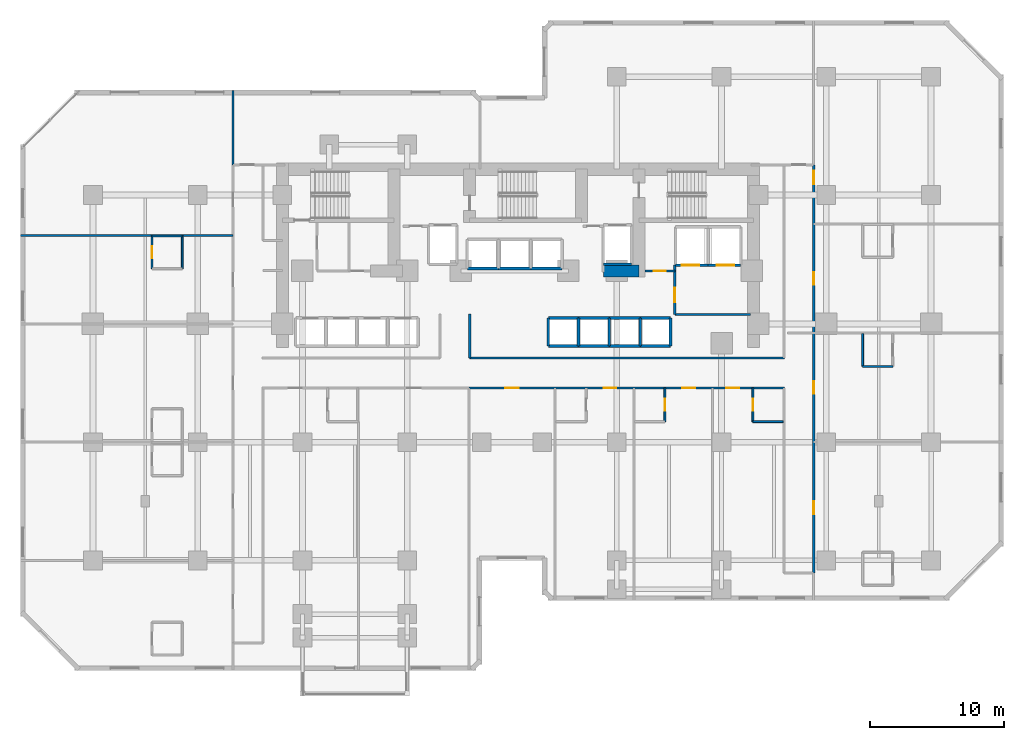
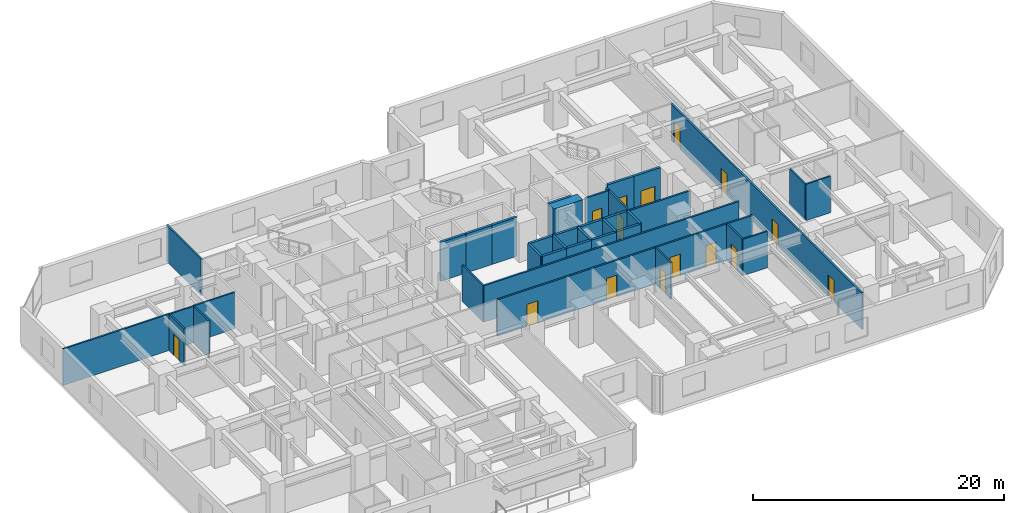
# One storey, part 7 of 12: 38 walls, 15 doors, 15 openings.
"""IFC4 building model written with IfcOpenShell, lengths in metres."""

from ifc_helpers import new_model, si_unit, direction, frame, frame_2d, origin, place, context, subcontext, project, spatial, rectangle, extrude, material, layer, layer_set, type_object, element, fill, save


model = new_model("IFC4")

# Units and contexts
model_context = context("Model", 3, precision=1e-05, world=origin(), true_north=direction((0.0, 1.0)))
body_context = subcontext(model_context, "Body", "Model", "MODEL_VIEW")
ifc_project = project(units=[si_unit("LENGTHUNIT", "METRE"), si_unit("AREAUNIT", "SQUARE_METRE"), si_unit("VOLUMEUNIT", "CUBIC_METRE"), si_unit("PLANEANGLEUNIT", "RADIAN"), si_unit("MASSUNIT", "GRAM", prefix="KILO")], contexts=[model_context])

# Site, building, storey
site_placement = place(None, origin())
site = spatial("IfcSite", under=ifc_project, at=site_placement, CompositionType="ELEMENT")
building_placement = place(site_placement, origin())
building = spatial("IfcBuilding", under=site, at=building_placement, Name="Kestravale Grand Hotel", CompositionType="ELEMENT")
storey_placement = place(building_placement, frame((0.0, 0.0, 67.800048828125)))
storey = spatial("IfcBuildingStorey", under=building, at=storey_placement, Name="L16", CompositionType="ELEMENT", Elevation=67.800048828125)

# Wall
ifc_material_1 = material(Name="Concrete f'c 70 MPa", Category="concrete")
ifc_layer_1 = layer(ifc_material_1, 0.89990234375)
ifc_layer_set_1 = layer_set([ifc_layer_1], Name="EW-CORE-900")
wall_type_1 = type_object("IfcWallType", Name="EW-CORE-900", PredefinedType="SHEAR", material=ifc_layer_set_1)
wall_1_placement = place(storey_placement, frame((45.81005859375, 32.75, 0.0), z_axis=(0.0, 0.0, 1.0), x_axis=(1.0, 0.0, 0.0)))
element("IfcWall", 1, at=wall_1_placement, inside=storey, type_object=wall_type_1, Name="L16 core shear wall S2", PredefinedType="SHEAR", context=body_context, shape_type="SweptSolid", body=[
    extrude(rectangle(XDim=2.639892578125, YDim=0.89990234375, at=frame_2d((1.31982421875, 0.0))), origin(), (0.0, 0.0, 1.0), 3.800048828125),
])

# Wall, opening, door
ifc_material_2 = material(Name="Acoustic fire-rated gypsum board partition", Category="other")
ifc_layer_2 = layer(ifc_material_2, 0.159912109375)
ifc_layer_set_2 = layer_set([ifc_layer_2], Name="IW-CORR-160")
wall_type_2 = type_object("IfcWallType", Name="IW-CORR-160", PredefinedType="PARTITIONING", material=ifc_layer_set_2)
wall_2_placement = place(storey_placement, frame((51.1201171875, 29.5, 0.0), z_axis=(0.0, 0.0, 1.0), x_axis=(0.0, 1.0, 0.0)))
wall_2 = element("IfcWall", 2, at=wall_2_placement, inside=storey, type_object=wall_type_2, Name="W-L16-SVCLOB-W", PredefinedType="PARTITIONING", context=body_context, shape_type="SweptSolid", body=[
    extrude(rectangle(XDim=3.699951171875, YDim=0.159912109375, at=frame_2d((1.85009765625, 0.0))), origin(), (0.0, 0.0, 1.0), 3.5400390625),
])
opening_1_placement = place(wall_2_placement, frame((0.89990234375, 0.0, 0.0)))
opening_1 = element("IfcOpeningElement", 3, at=opening_1_placement, cuts=wall_2, Name="Opening D-CORR-1100", PredefinedType="OPENING", context=body_context, shape_type="SweptSolid", body=[
    extrude(rectangle(XDim=1.10009765625, YDim=2.14990234375, at=frame_2d((0.550048828125, 1.074951171875))), frame((0.0, 0.08984375, 0.0), z_axis=(0.0, -1.0, 0.0), x_axis=(1.0, 0.0, 0.0)), (0.0, 0.0, 1.0), 0.179931640625),
])
ifc_material_3 = material(Name="Single-leaf service vestibule fire door", Category="steel")
door_type_1 = type_object("IfcDoorType", Name="D-CORR-1100", OperationType="NOTDEFINED", PredefinedType="DOOR", material=ifc_material_3)
door_1_placement = place(opening_1_placement, origin())
door_1 = element("IfcDoor", 4, at=door_1_placement, inside=storey, type_object=door_type_1, Name="L16 service lift lobby door", OperationType="SINGLE_SWING_LEFT", OverallHeight=2.14990234375, OverallWidth=1.10009765625, PredefinedType="DOOR", context=body_context, shape_type="SweptSolid", body=[
    extrude(rectangle(XDim=1.10009765625, YDim=2.14990234375, at=frame_2d((0.550048828125, 1.074951171875))), frame((0.0, 0.02490234375, 0.0), z_axis=(0.0, -1.0, 0.0), x_axis=(1.0, 0.0, 0.0)), (0.0, 0.0, 1.0), 0.050048828125),
])
fill(opening_1, door_1)

# Wall
wall_3_placement = place(storey_placement, frame((51.1201171875, 29.5, 0.0), z_axis=(0.0, 0.0, 1.0), x_axis=(1.0, 0.0, 0.0)))
element("IfcWall", 5, at=wall_3_placement, inside=storey, type_object=wall_type_2, Name="L16 service lift lobby wall", PredefinedType="PARTITIONING", context=body_context, shape_type="SweptSolid", body=[
    extrude(rectangle(XDim=5.6298828125, YDim=0.159912109375, at=frame_2d((2.81494140625, 0.0))), origin(), (0.0, 0.0, 1.0), 3.5400390625),
])

# Wall, opening, door
wall_4_placement = place(storey_placement, frame((48.919921875, 32.75, 0.0), z_axis=(0.0, 0.0, 1.0), x_axis=(1.0, 0.0, 0.0)))
wall_4 = element("IfcWall", 6, at=wall_4_placement, inside=storey, type_object=wall_type_2, Name="W-L16-CES", PredefinedType="PARTITIONING", context=body_context, shape_type="SweptSolid", body=[
    extrude(rectangle(XDim=2.2001953125, YDim=0.159912109375, at=frame_2d((1.10009765625, 0.0))), origin(), (0.0, 0.0, 1.0), 3.5400390625),
])
opening_2_placement = place(wall_4_placement, frame((0.64990234375, 0.0, 0.0)))
opening_2 = element("IfcOpeningElement", 7, at=opening_2_placement, cuts=wall_4, Name="Opening D-SH-860", PredefinedType="OPENING", context=body_context, shape_type="SweptSolid", body=[
    extrude(rectangle(XDim=0.860107421875, YDim=2.050048828125, at=frame_2d((0.43017578125, 1.02490234375))), frame((0.0, 0.08984375, 0.0), z_axis=(0.0, -1.0, 0.0), x_axis=(1.0, 0.0, 0.0)), (0.0, 0.0, 1.0), 0.179931640625),
])
ifc_material_4 = material(Name="Galvanised 90-minute riser fire door", Category="steel")
door_type_2 = type_object("IfcDoorType", Name="D-SH-860", OperationType="NOTDEFINED", PredefinedType="DOOR", material=ifc_material_4)
door_2_placement = place(opening_2_placement, origin())
door_2 = element("IfcDoor", 8, at=door_2_placement, inside=storey, type_object=door_type_2, Name="L16 CSTO1 door", OperationType="SINGLE_SWING_RIGHT", OverallHeight=2.050048828125, OverallWidth=0.860107421875, PredefinedType="DOOR", context=body_context, shape_type="SweptSolid", body=[
    extrude(rectangle(XDim=0.860107421875, YDim=2.050048828125, at=frame_2d((0.43017578125, 1.02490234375))), frame((0.0, 0.02490234375, 0.0), z_axis=(0.0, -1.0, 0.0), x_axis=(1.0, 0.0, 0.0)), (0.0, 0.0, 1.0), 0.050048828125),
])
fill(opening_2, door_2)

# Walls
wall_5_placement = place(storey_placement, frame((35.85009765625, 26.260009765625, 0.0), z_axis=(0.0, 0.0, 1.0), x_axis=(1.0, 0.0, 0.0)))
element("IfcWall", 9, at=wall_5_placement, inside=storey, type_object=wall_type_2, Name="W-L16-CE-N", PredefinedType="PARTITIONING", context=body_context, shape_type="SweptSolid", body=[
    extrude(rectangle(XDim=23.449951171875, YDim=0.159912109375, at=frame_2d((11.72509765625, 0.0))), origin(), (0.0, 0.0, 1.0), 3.5400390625),
])
wall_6_placement = place(storey_placement, frame((35.85009765625, 26.260009765625, 0.0), z_axis=(0.0, 0.0, 1.0), x_axis=(0.0, 1.0, 0.0)))
element("IfcWall", 10, at=wall_6_placement, inside=storey, type_object=wall_type_2, Name="W-L16-TRUNK-E", PredefinedType="PARTITIONING", context=body_context, shape_type="SweptSolid", body=[
    extrude(rectangle(XDim=3.2900390625, YDim=0.159912109375, at=frame_2d((1.64501953125, 0.0))), origin(), (0.0, 0.0, 1.0), 3.5400390625),
])

# Wall, openings, doors
wall_7_placement = place(storey_placement, frame((35.800048828125, 24.0400390625, 0.0), z_axis=(0.0, 0.0, 1.0), x_axis=(1.0, 0.0, 0.0)))
wall_7 = element("IfcWall", 11, at=wall_7_placement, inside=storey, type_object=wall_type_2, Name="W-L16-CE-S", PredefinedType="PARTITIONING", context=body_context, shape_type="SweptSolid", body=[
    extrude(rectangle(XDim=23.5, YDim=0.159912109375, at=frame_2d((11.75, 0.0))), origin(), (0.0, 0.0, 1.0), 3.5400390625),
])
opening_3_placement = place(wall_7_placement, frame((2.705078125, 0.0, 0.0)))
opening_3 = element("IfcOpeningElement", 12, at=opening_3_placement, cuts=wall_7, Name="Opening D-GUEST-1000", PredefinedType="OPENING", context=body_context, shape_type="SweptSolid", body=[
    extrude(rectangle(XDim=1.0, YDim=2.14990234375, at=frame_2d((0.5, 1.074951171875))), frame((0.0, 0.08984375, 0.0), z_axis=(0.0, -1.0, 0.0), x_axis=(1.0, 0.0, 0.0)), (0.0, 0.0, 1.0), 0.179931640625),
])
opening_4_placement = place(wall_7_placement, frame((10.02001953125, 0.0, 0.0)))
opening_4 = element("IfcOpeningElement", 13, at=opening_4_placement, cuts=wall_7, Name="Opening D-GUEST-950", PredefinedType="OPENING", context=body_context, shape_type="SweptSolid", body=[
    extrude(rectangle(XDim=0.949951171875, YDim=2.10009765625, at=frame_2d((0.47509765625, 1.050048828125))), frame((0.0, 0.08984375, 0.0), z_axis=(0.0, -1.0, 0.0), x_axis=(1.0, 0.0, 0.0)), (0.0, 0.0, 1.0), 0.179931640625),
])
opening_5_placement = place(wall_7_placement, frame((15.8798828125, 0.0, 0.0)))
opening_5 = element("IfcOpeningElement", 14, at=opening_5_placement, cuts=wall_7, Name="Opening D-GUEST-950", PredefinedType="OPENING", context=body_context, shape_type="SweptSolid", body=[
    extrude(rectangle(XDim=0.949951171875, YDim=2.10009765625, at=frame_2d((0.47509765625, 1.050048828125))), frame((0.0, 0.08984375, 0.0), z_axis=(0.0, -1.0, 0.0), x_axis=(1.0, 0.0, 0.0)), (0.0, 0.0, 1.0), 0.179931640625),
])
opening_6_placement = place(wall_7_placement, frame((19.155029296875, 0.0, 0.0)))
opening_6 = element("IfcOpeningElement", 15, at=opening_6_placement, cuts=wall_7, Name="Opening D-GUEST-950", PredefinedType="OPENING", context=body_context, shape_type="SweptSolid", body=[
    extrude(rectangle(XDim=0.949951171875, YDim=2.10009765625, at=frame_2d((0.47509765625, 1.050048828125))), frame((0.0, 0.08984375, 0.0), z_axis=(0.0, -1.0, 0.0), x_axis=(1.0, 0.0, 0.0)), (0.0, 0.0, 1.0), 0.179931640625),
])
ifc_material_5 = material(Name="Accessible walnut veneer hotel entrance fire door", Category="wood")
door_type_3 = type_object("IfcDoorType", Name="D-GUEST-1000", OperationType="NOTDEFINED", PredefinedType="DOOR", material=ifc_material_5)
door_3_placement = place(opening_3_placement, origin())
door_3 = element("IfcDoor", 16, at=door_3_placement, inside=storey, type_object=door_type_3, Name="D-L16-AME", OperationType="SINGLE_SWING_RIGHT", OverallHeight=2.14990234375, OverallWidth=1.0, PredefinedType="DOOR", context=body_context, shape_type="SweptSolid", body=[
    extrude(rectangle(XDim=1.0, YDim=2.14990234375, at=frame_2d((0.5, 1.074951171875))), frame((0.0, 0.02490234375, 0.0), z_axis=(0.0, -1.0, 0.0), x_axis=(1.0, 0.0, 0.0)), (0.0, 0.0, 1.0), 0.050048828125),
])
fill(opening_3, door_3)
ifc_material_6 = material(Name="Walnut veneer hotel guestroom entrance fire door", Category="wood")
door_type_4 = type_object("IfcDoorType", Name="D-GUEST-950", OperationType="NOTDEFINED", PredefinedType="DOOR", material=ifc_material_6)
door_4_placement = place(opening_4_placement, origin())
door_4 = element("IfcDoor", 17, at=door_4_placement, inside=storey, type_object=door_type_4, Name="D-L16-U02-ENT", OperationType="SINGLE_SWING_RIGHT", OverallHeight=2.10009765625, OverallWidth=0.949951171875, PredefinedType="DOOR", context=body_context, shape_type="SweptSolid", body=[
    extrude(rectangle(XDim=0.949951171875, YDim=2.10009765625, at=frame_2d((0.47509765625, 1.050048828125))), frame((0.0, 0.02490234375, 0.0), z_axis=(0.0, -1.0, 0.0), x_axis=(1.0, 0.0, 0.0)), (0.0, 0.0, 1.0), 0.050048828125),
])
fill(opening_4, door_4)
door_5_placement = place(opening_5_placement, origin())
door_5 = element("IfcDoor", 18, at=door_5_placement, inside=storey, type_object=door_type_4, Name="D-L16-U03-ENT", OperationType="SINGLE_SWING_RIGHT", OverallHeight=2.10009765625, OverallWidth=0.949951171875, PredefinedType="DOOR", context=body_context, shape_type="SweptSolid", body=[
    extrude(rectangle(XDim=0.949951171875, YDim=2.10009765625, at=frame_2d((0.47509765625, 1.050048828125))), frame((0.0, 0.02490234375, 0.0), z_axis=(0.0, -1.0, 0.0), x_axis=(1.0, 0.0, 0.0)), (0.0, 0.0, 1.0), 0.050048828125),
])
fill(opening_5, door_5)
door_6_placement = place(opening_6_placement, origin())
door_6 = element("IfcDoor", 19, at=door_6_placement, inside=storey, type_object=door_type_4, Name="D-L16-U04-ENT", OperationType="SINGLE_SWING_RIGHT", OverallHeight=2.10009765625, OverallWidth=0.949951171875, PredefinedType="DOOR", context=body_context, shape_type="SweptSolid", body=[
    extrude(rectangle(XDim=0.949951171875, YDim=2.10009765625, at=frame_2d((0.47509765625, 1.050048828125))), frame((0.0, 0.02490234375, 0.0), z_axis=(0.0, -1.0, 0.0), x_axis=(1.0, 0.0, 0.0)), (0.0, 0.0, 1.0), 0.050048828125),
])
fill(opening_6, door_6)

wall_8_placement = place(storey_placement, frame((61.4599609375, 10.25, 0.0), z_axis=(0.0, 0.0, 1.0), x_axis=(0.0, 1.0, 0.0)))
wall_8 = element("IfcWall", 20, at=wall_8_placement, inside=storey, type_object=wall_type_2, Name="W-L16-SE-E", PredefinedType="PARTITIONING", context=body_context, shape_type="SweptSolid", body=[
    extrude(rectangle(XDim=30.39990234375, YDim=0.159912109375, at=frame_2d((15.199951171875, 0.0))), origin(), (0.0, 0.0, 1.0), 3.5400390625),
])
opening_7_placement = place(wall_8_placement, frame((4.39990234375, 0.0, 0.0)))
opening_7 = element("IfcOpeningElement", 21, at=opening_7_placement, cuts=wall_8, Name="Opening D-GUEST-950", PredefinedType="OPENING", context=body_context, shape_type="SweptSolid", body=[
    extrude(rectangle(XDim=0.949951171875, YDim=2.10009765625, at=frame_2d((0.47509765625, 1.050048828125))), frame((0.0, 0.08984375, 0.0), z_axis=(0.0, -1.0, 0.0), x_axis=(1.0, 0.0, 0.0)), (0.0, 0.0, 1.0), 0.179931640625),
])
opening_8_placement = place(wall_8_placement, frame((13.33740234375, 0.0, 0.0)))
opening_8 = element("IfcOpeningElement", 22, at=opening_8_placement, cuts=wall_8, Name="Opening D-GUEST-950", PredefinedType="OPENING", context=body_context, shape_type="SweptSolid", body=[
    extrude(rectangle(XDim=0.949951171875, YDim=2.10009765625, at=frame_2d((0.47509765625, 1.050048828125))), frame((0.0, 0.08984375, 0.0), z_axis=(0.0, -1.0, 0.0), x_axis=(1.0, 0.0, 0.0)), (0.0, 0.0, 1.0), 0.179931640625),
])
opening_9_placement = place(wall_8_placement, frame((21.46240234375, 0.0, 0.0)))
opening_9 = element("IfcOpeningElement", 23, at=opening_9_placement, cuts=wall_8, Name="Opening D-GUEST-950", PredefinedType="OPENING", context=body_context, shape_type="SweptSolid", body=[
    extrude(rectangle(XDim=0.949951171875, YDim=2.10009765625, at=frame_2d((0.47509765625, 1.050048828125))), frame((0.0, 0.08984375, 0.0), z_axis=(0.0, -1.0, 0.0), x_axis=(1.0, 0.0, 0.0)), (0.0, 0.0, 1.0), 0.179931640625),
])
opening_10_placement = place(wall_8_placement, frame((28.9599609375, 0.0, 0.0)))
opening_10 = element("IfcOpeningElement", 24, at=opening_10_placement, cuts=wall_8, Name="Opening D-GUEST-1000", PredefinedType="OPENING", context=body_context, shape_type="SweptSolid", body=[
    extrude(rectangle(XDim=1.0, YDim=2.14990234375, at=frame_2d((0.5, 1.074951171875))), frame((0.0, 0.08984375, 0.0), z_axis=(0.0, -1.0, 0.0), x_axis=(1.0, 0.0, 0.0)), (0.0, 0.0, 1.0), 0.179931640625),
])
door_7_placement = place(opening_10_placement, origin())
door_7 = element("IfcDoor", 25, at=door_7_placement, inside=storey, type_object=door_type_3, Name="D-L16-AMEW", OperationType="SINGLE_SWING_RIGHT", OverallHeight=2.14990234375, OverallWidth=1.0, PredefinedType="DOOR", context=body_context, shape_type="SweptSolid", body=[
    extrude(rectangle(XDim=1.0, YDim=2.14990234375, at=frame_2d((0.5, 1.074951171875))), frame((0.0, 0.02490234375, 0.0), z_axis=(0.0, -1.0, 0.0), x_axis=(1.0, 0.0, 0.0)), (0.0, 0.0, 1.0), 0.050048828125),
])
fill(opening_10, door_7)
door_8_placement = place(opening_7_placement, origin())
door_8 = element("IfcDoor", 26, at=door_8_placement, inside=storey, type_object=door_type_4, Name="D-L16-U09-ENT", OperationType="SINGLE_SWING_LEFT", OverallHeight=2.10009765625, OverallWidth=0.949951171875, PredefinedType="DOOR", context=body_context, shape_type="SweptSolid", body=[
    extrude(rectangle(XDim=0.949951171875, YDim=2.10009765625, at=frame_2d((0.47509765625, 1.050048828125))), frame((0.0, 0.02490234375, 0.0), z_axis=(0.0, -1.0, 0.0), x_axis=(1.0, 0.0, 0.0)), (0.0, 0.0, 1.0), 0.050048828125),
])
fill(opening_7, door_8)
door_9_placement = place(opening_8_placement, origin())
door_9 = element("IfcDoor", 27, at=door_9_placement, inside=storey, type_object=door_type_4, Name="D-L16-U10-ENT", OperationType="SINGLE_SWING_LEFT", OverallHeight=2.10009765625, OverallWidth=0.949951171875, PredefinedType="DOOR", context=body_context, shape_type="SweptSolid", body=[
    extrude(rectangle(XDim=0.949951171875, YDim=2.10009765625, at=frame_2d((0.47509765625, 1.050048828125))), frame((0.0, 0.02490234375, 0.0), z_axis=(0.0, -1.0, 0.0), x_axis=(1.0, 0.0, 0.0)), (0.0, 0.0, 1.0), 0.050048828125),
])
fill(opening_8, door_9)
door_10_placement = place(opening_9_placement, origin())
door_10 = element("IfcDoor", 28, at=door_10_placement, inside=storey, type_object=door_type_4, Name="D-L16-U11-ENT", OperationType="SINGLE_SWING_LEFT", OverallHeight=2.10009765625, OverallWidth=0.949951171875, PredefinedType="DOOR", context=body_context, shape_type="SweptSolid", body=[
    extrude(rectangle(XDim=0.949951171875, YDim=2.10009765625, at=frame_2d((0.47509765625, 1.050048828125))), frame((0.0, 0.02490234375, 0.0), z_axis=(0.0, -1.0, 0.0), x_axis=(1.0, 0.0, 0.0)), (0.0, 0.0, 1.0), 0.050048828125),
])
fill(opening_9, door_10)

# Wall, opening, door
ifc_material_7 = material(Name="Moisture-resistant tile-backer plumbing chase wall", Category="other")
ifc_layer_3 = layer(ifc_material_7, 0.139892578125)
ifc_layer_set_3 = layer_set([ifc_layer_3], Name="IW-PLB-140")
wall_type_3 = type_object("IfcWallType", Name="IW-PLB-140", PredefinedType="PLUMBINGWALL", material=ifc_layer_set_3)
wall_9_placement = place(storey_placement, frame((50.3798828125, 21.530029296875, 0.0), z_axis=(0.0, 0.0, 1.0), x_axis=(0.0, 1.0, 0.0)))
wall_9 = element("IfcWall", 29, at=wall_9_placement, inside=storey, type_object=wall_type_3, Name="W-L16-U03-BE", PredefinedType="PLUMBINGWALL", context=body_context, shape_type="SweptSolid", body=[
    extrude(rectangle(XDim=2.489990234375, YDim=0.139892578125, at=frame_2d((1.2451171875, 0.0))), origin(), (0.0, 0.0, 1.0), 3.5400390625),
])
opening_11_placement = place(wall_9_placement, frame((0.804931640625, 0.0, 0.0)))
opening_11 = element("IfcOpeningElement", 30, at=opening_11_placement, cuts=wall_9, Name="Opening D-BATH-880", PredefinedType="OPENING", context=body_context, shape_type="SweptSolid", body=[
    extrude(rectangle(XDim=0.8798828125, YDim=2.050048828125, at=frame_2d((0.43994140625, 1.02490234375))), frame((0.0, 0.079833984375, 0.0), z_axis=(0.0, -1.0, 0.0), x_axis=(1.0, 0.0, 0.0)), (0.0, 0.0, 1.0), 0.159912109375),
])
ifc_material_8 = material(Name="Moisture-sealed walnut en-suite bathroom door", Category="wood")
door_type_5 = type_object("IfcDoorType", Name="D-BATH-880", OperationType="NOTDEFINED", PredefinedType="DOOR", material=ifc_material_8)
door_11_placement = place(opening_11_placement, origin())
door_11 = element("IfcDoor", 31, at=door_11_placement, inside=storey, type_object=door_type_5, Name="D-L16-U03-BATH", OperationType="SINGLE_SWING_LEFT", OverallHeight=2.050048828125, OverallWidth=0.8798828125, PredefinedType="DOOR", context=body_context, shape_type="SweptSolid", body=[
    extrude(rectangle(XDim=0.8798828125, YDim=2.050048828125, at=frame_2d((0.43994140625, 1.02490234375))), frame((0.0, 0.02490234375, 0.0), z_axis=(0.0, -1.0, 0.0), x_axis=(1.0, 0.0, 0.0)), (0.0, 0.0, 1.0), 0.050048828125),
])
fill(opening_11, door_11)

wall_10_placement = place(storey_placement, frame((56.929931640625, 21.530029296875, 0.0), z_axis=(0.0, 0.0, 1.0), x_axis=(0.0, 1.0, 0.0)))
wall_10 = element("IfcWall", 32, at=wall_10_placement, inside=storey, type_object=wall_type_3, Name="W-L16-U04-BW", PredefinedType="PLUMBINGWALL", context=body_context, shape_type="SweptSolid", body=[
    extrude(rectangle(XDim=2.489990234375, YDim=0.139892578125, at=frame_2d((1.2451171875, 0.0))), origin(), (0.0, 0.0, 1.0), 3.5400390625),
])
opening_12_placement = place(wall_10_placement, frame((0.804931640625, 0.0, 0.0)))
opening_12 = element("IfcOpeningElement", 33, at=opening_12_placement, cuts=wall_10, Name="Opening D-BATH-880", PredefinedType="OPENING", context=body_context, shape_type="SweptSolid", body=[
    extrude(rectangle(XDim=0.8798828125, YDim=2.050048828125, at=frame_2d((0.43994140625, 1.02490234375))), frame((0.0, 0.079833984375, 0.0), z_axis=(0.0, -1.0, 0.0), x_axis=(1.0, 0.0, 0.0)), (0.0, 0.0, 1.0), 0.159912109375),
])
door_12_placement = place(opening_12_placement, origin())
door_12 = element("IfcDoor", 34, at=door_12_placement, inside=storey, type_object=door_type_5, Name="D-L16-U04-BATH", OperationType="SINGLE_SWING_LEFT", OverallHeight=2.050048828125, OverallWidth=0.8798828125, PredefinedType="DOOR", context=body_context, shape_type="SweptSolid", body=[
    extrude(rectangle(XDim=0.8798828125, YDim=2.050048828125, at=frame_2d((0.43994140625, 1.02490234375))), frame((0.0, 0.02490234375, 0.0), z_axis=(0.0, -1.0, 0.0), x_axis=(1.0, 0.0, 0.0)), (0.0, 0.0, 1.0), 0.050048828125),
])
fill(opening_12, door_12)

# Wall
wall_11_placement = place(storey_placement, frame((56.929931640625, 21.530029296875, 0.0), z_axis=(0.0, 0.0, 1.0), x_axis=(1.0, 0.0, 0.0)))
element("IfcWall", 35, at=wall_11_placement, inside=storey, type_object=wall_type_3, Name="W-L16-U04-BS", PredefinedType="PLUMBINGWALL", context=body_context, shape_type="SweptSolid", body=[
    extrude(rectangle(XDim=2.25, YDim=0.139892578125, at=frame_2d((1.125, 0.0))), origin(), (0.0, 0.0, 1.0), 3.5400390625),
])

# Wall, opening, door
wall_12_placement = place(storey_placement, frame((12.199951171875, 32.909912109375, 0.0), z_axis=(0.0, 0.0, 1.0), x_axis=(0.0, 1.0, 0.0)))
wall_12 = element("IfcWall", 36, at=wall_12_placement, inside=storey, type_object=wall_type_3, Name="W-L16-U08-BW", PredefinedType="PLUMBINGWALL", context=body_context, shape_type="SweptSolid", body=[
    extrude(rectangle(XDim=2.4501953125, YDim=0.139892578125, at=frame_2d((1.22509765625, 0.0))), origin(), (0.0, 0.0, 1.0), 3.5400390625),
])
opening_13_placement = place(wall_12_placement, frame((0.784912109375, 0.0, 0.0)))
opening_13 = element("IfcOpeningElement", 37, at=opening_13_placement, cuts=wall_12, Name="Opening D-BATH-880", PredefinedType="OPENING", context=body_context, shape_type="SweptSolid", body=[
    extrude(rectangle(XDim=0.8798828125, YDim=2.050048828125, at=frame_2d((0.43994140625, 1.02490234375))), frame((0.0, 0.079833984375, 0.0), z_axis=(0.0, -1.0, 0.0), x_axis=(1.0, 0.0, 0.0)), (0.0, 0.0, 1.0), 0.159912109375),
])
door_13_placement = place(opening_13_placement, origin())
door_13 = element("IfcDoor", 38, at=door_13_placement, inside=storey, type_object=door_type_5, Name="D-L16-U08-BATH", OperationType="SINGLE_SWING_LEFT", OverallHeight=2.050048828125, OverallWidth=0.8798828125, PredefinedType="DOOR", context=body_context, shape_type="SweptSolid", body=[
    extrude(rectangle(XDim=0.8798828125, YDim=2.050048828125, at=frame_2d((0.43994140625, 1.02490234375))), frame((0.0, 0.02490234375, 0.0), z_axis=(0.0, -1.0, 0.0), x_axis=(1.0, 0.0, 0.0)), (0.0, 0.0, 1.0), 0.050048828125),
])
fill(opening_13, door_13)

# Walls
wall_13_placement = place(storey_placement, frame((14.449951171875, 32.909912109375, 0.0), z_axis=(0.0, 0.0, 1.0), x_axis=(0.0, 1.0, 0.0)))
element("IfcWall", 39, at=wall_13_placement, inside=storey, type_object=wall_type_3, Name="W-L16-U08-BE", PredefinedType="PLUMBINGWALL", context=body_context, shape_type="SweptSolid", body=[
    extrude(rectangle(XDim=2.4501953125, YDim=0.139892578125, at=frame_2d((1.22509765625, 0.0))), origin(), (0.0, 0.0, 1.0), 3.5400390625),
])
wall_14_placement = place(storey_placement, frame((12.199951171875, 35.360107421875, 0.0), z_axis=(0.0, 0.0, 1.0), x_axis=(1.0, 0.0, 0.0)))
element("IfcWall", 40, at=wall_14_placement, inside=storey, type_object=wall_type_3, Name="W-L16-U08-BN", PredefinedType="PLUMBINGWALL", context=body_context, shape_type="SweptSolid", body=[
    extrude(rectangle(XDim=2.25, YDim=0.139892578125, at=frame_2d((1.125, 0.0))), origin(), (0.0, 0.0, 1.0), 3.5400390625),
])
wall_15_placement = place(storey_placement, frame((65.10009765625, 25.635009765625, 0.0), z_axis=(0.0, 0.0, 1.0), x_axis=(0.0, 1.0, 0.0)))
element("IfcWall", 41, at=wall_15_placement, inside=storey, type_object=wall_type_3, Name="W-L16-U10-BW", PredefinedType="PLUMBINGWALL", context=body_context, shape_type="SweptSolid", body=[
    extrude(rectangle(XDim=2.449951171875, YDim=0.139892578125, at=frame_2d((1.22509765625, 0.0))), origin(), (0.0, 0.0, 1.0), 3.5400390625),
])
wall_16_placement = place(storey_placement, frame((65.10009765625, 25.635009765625, 0.0), z_axis=(0.0, 0.0, 1.0), x_axis=(1.0, 0.0, 0.0)))
element("IfcWall", 42, at=wall_16_placement, inside=storey, type_object=wall_type_3, Name="W-L16-U10-BS", PredefinedType="PLUMBINGWALL", context=body_context, shape_type="SweptSolid", body=[
    extrude(rectangle(XDim=2.25, YDim=0.139892578125, at=frame_2d((1.125, 0.0))), origin(), (0.0, 0.0, 1.0), 3.5400390625),
])
ifc_material_9 = material(Name="Concrete f'c 45 MPa", Category="concrete")
ifc_layer_4 = layer(ifc_material_9, 0.199951171875)
ifc_layer_set_4 = layer_set([ifc_layer_4], Name="IW-SHAFT-200")
wall_type_4 = type_object("IfcWallType", Name="IW-SHAFT-200", PredefinedType="SHEAR", material=ifc_layer_set_4)
for number, where, z_axis, x_axis, name in (
    (43, (41.705078125, 27.169921875, 0.0), (0.0, 0.0, 1.0), (0.0, 1.0, 0.0), "L16 PL-M1 west shaft wall"),
    (44, (43.949951171875, 27.169921875, 0.0), (0.0, 0.0, 1.0), (0.0, 1.0, 0.0), "L16 PL-M2 west shaft wall"),
    (45, (46.25, 27.169921875, 0.0), (0.0, 0.0, 1.0), (0.0, 1.0, 0.0), "L16 PL-M3 west shaft wall"),
    (46, (48.550048828125, 27.169921875, 0.0), (0.0, 0.0, 1.0), (0.0, 1.0, 0.0), "L16 PL-M4 west shaft wall"),
    (47, (50.794921875, 27.169921875, 0.0), (0.0, 0.0, 1.0), (0.0, 1.0, 0.0), "L16 PL-M4 east shaft wall"),
):
    element("IfcWall", number, at=place(storey_placement, frame(where, z_axis=z_axis, x_axis=x_axis)), inside=storey, type_object=wall_type_4, Name=name, PredefinedType="SHEAR", context=body_context, shape_type="SweptSolid", body=[
        extrude(rectangle(XDim=2.06005859375, YDim=0.199951171875, at=frame_2d((1.030029296875, 0.0))), origin(), (0.0, 0.0, 1.0), 3.800048828125),
    ])
ifc_material_10 = material(Name="Concrete f'c 45 MPa", Category="concrete")
ifc_layer_5 = layer(ifc_material_10, 0.219970703125)
ifc_layer_set_5 = layer_set([ifc_layer_5], Name="IW-SHAFT-220")
wall_type_5 = type_object("IfcWallType", Name="IW-SHAFT-220", PredefinedType="SHEAR", material=ifc_layer_set_5)
for number, where, z_axis, x_axis, name in (
    (48, (41.705078125, 29.22998046875, 0.0), (0.0, 0.0, 1.0), (1.0, 0.0, 0.0), "L16 PL-M1 north shaft wall"),
    (49, (41.705078125, 27.169921875, 0.0), (0.0, 0.0, 1.0), (1.0, 0.0, 0.0), "L16 PL-M1 south shaft wall"),
):
    element("IfcWall", number, at=place(storey_placement, frame(where, z_axis=z_axis, x_axis=x_axis)), inside=storey, type_object=wall_type_5, Name=name, PredefinedType="SHEAR", context=body_context, shape_type="SweptSolid", body=[
        extrude(rectangle(XDim=2.244873046875, YDim=0.219970703125, at=frame_2d((1.12255859375, 0.0))), origin(), (0.0, 0.0, 1.0), 3.800048828125),
    ])
for number, where, z_axis, x_axis, name in (
    (50, (43.949951171875, 29.22998046875, 0.0), (0.0, 0.0, 1.0), (1.0, 0.0, 0.0), "L16 PL-M2 north shaft wall"),
    (51, (43.949951171875, 27.169921875, 0.0), (0.0, 0.0, 1.0), (1.0, 0.0, 0.0), "L16 PL-M2 south shaft wall"),
    (52, (46.25, 29.22998046875, 0.0), (0.0, 0.0, 1.0), (1.0, 0.0, 0.0), "L16 PL-M3 north shaft wall"),
    (53, (46.25, 27.169921875, 0.0), (0.0, 0.0, 1.0), (1.0, 0.0, 0.0), "L16 PL-M3 south shaft wall"),
):
    element("IfcWall", number, at=place(storey_placement, frame(where, z_axis=z_axis, x_axis=x_axis)), inside=storey, type_object=wall_type_5, Name=name, PredefinedType="SHEAR", context=body_context, shape_type="SweptSolid", body=[
        extrude(rectangle(XDim=2.300048828125, YDim=0.219970703125, at=frame_2d((1.14990234375, 0.0))), origin(), (0.0, 0.0, 1.0), 3.800048828125),
    ])
for number, where, z_axis, x_axis, name in (
    (54, (48.550048828125, 29.22998046875, 0.0), (0.0, 0.0, 1.0), (1.0, 0.0, 0.0), "L16 PL-M4 north shaft wall"),
    (55, (48.550048828125, 27.169921875, 0.0), (0.0, 0.0, 1.0), (1.0, 0.0, 0.0), "L16 PL-M4 south shaft wall"),
):
    element("IfcWall", number, at=place(storey_placement, frame(where, z_axis=z_axis, x_axis=x_axis)), inside=storey, type_object=wall_type_5, Name=name, PredefinedType="SHEAR", context=body_context, shape_type="SweptSolid", body=[
        extrude(rectangle(XDim=2.244873046875, YDim=0.219970703125, at=frame_2d((1.12255859375, 0.0))), origin(), (0.0, 0.0, 1.0), 3.800048828125),
    ])
wall_17_placement = place(storey_placement, frame((35.679931640625, 32.919921875, 0.0), z_axis=(0.0, 0.0, 1.0), x_axis=(1.0, 0.0, 0.0)))
element("IfcWall", 56, at=wall_17_placement, inside=storey, type_object=wall_type_5, Name="L16 PL-X1 south shaft wall", PredefinedType="SHEAR", context=body_context, shape_type="SweptSolid", body=[
    extrude(rectangle(XDim=2.320068359375, YDim=0.219970703125, at=frame_2d((1.16015625, 0.0))), origin(), (0.0, 0.0, 1.0), 3.800048828125),
])
wall_18_placement = place(storey_placement, frame((38.0, 32.919921875, 0.0), z_axis=(0.0, 0.0, 1.0), x_axis=(1.0, 0.0, 0.0)))
element("IfcWall", 57, at=wall_18_placement, inside=storey, type_object=wall_type_5, Name="L16 PL-X2 south shaft wall", PredefinedType="SHEAR", context=body_context, shape_type="SweptSolid", body=[
    extrude(rectangle(XDim=2.39990234375, YDim=0.219970703125, at=frame_2d((1.199951171875, 0.0))), origin(), (0.0, 0.0, 1.0), 3.800048828125),
])
wall_19_placement = place(storey_placement, frame((40.39990234375, 32.919921875, 0.0), z_axis=(0.0, 0.0, 1.0), x_axis=(1.0, 0.0, 0.0)))
element("IfcWall", 58, at=wall_19_placement, inside=storey, type_object=wall_type_5, Name="L16 PL-X3 south shaft wall", PredefinedType="SHEAR", context=body_context, shape_type="SweptSolid", body=[
    extrude(rectangle(XDim=2.320068359375, YDim=0.219970703125, at=frame_2d((1.16015625, 0.0))), origin(), (0.0, 0.0, 1.0), 3.800048828125),
])

# Wall, opening, door
wall_20_placement = place(storey_placement, frame((51.179931640625, 33.169921875, 0.0), z_axis=(0.0, 0.0, 1.0), x_axis=(1.0, 0.0, 0.0)))
wall_20 = element("IfcWall", 59, at=wall_20_placement, inside=storey, type_object=wall_type_5, Name="L16 SL-1 south shaft wall", PredefinedType="SHEAR", context=body_context, shape_type="SweptSolid", body=[
    extrude(rectangle(XDim=2.420166015625, YDim=0.219970703125, at=frame_2d((1.2099609375, 0.0))), origin(), (0.0, 0.0, 1.0), 3.800048828125),
])
opening_14_placement = place(wall_20_placement, frame((0.469970703125, 0.0, 0.0)))
opening_14 = element("IfcOpeningElement", 60, at=opening_14_placement, cuts=wall_20, Name="Opening LD-SVC-1300", PredefinedType="OPENING", context=body_context, shape_type="SweptSolid", body=[
    extrude(rectangle(XDim=1.300048828125, YDim=2.14990234375, at=frame_2d((0.64990234375, 1.074951171875))), frame((0.0, 0.119873046875, 0.0), z_axis=(0.0, -1.0, 0.0), x_axis=(1.0, 0.0, 0.0)), (0.0, 0.0, 1.0), 0.239990234375),
])
ifc_material_11 = material(Name="Heavy-duty service sliding elevator landing door", Category="steel")
door_type_6 = type_object("IfcDoorType", Name="LD-SVC-1300", OperationType="NOTDEFINED", PredefinedType="DOOR", material=ifc_material_11)
door_14_placement = place(opening_14_placement, origin())
door_14 = element("IfcDoor", 61, at=door_14_placement, inside=storey, type_object=door_type_6, Name="L16 SL-1 elevator landing sliding door", OperationType="DOUBLE_DOOR_SLIDING", OverallHeight=2.14990234375, OverallWidth=1.300048828125, PredefinedType="DOOR", context=body_context, shape_type="SweptSolid", body=[
    extrude(rectangle(XDim=1.300048828125, YDim=2.14990234375, at=frame_2d((0.64990234375, 1.074951171875))), frame((0.0, 0.02490234375, 0.0), z_axis=(0.0, -1.0, 0.0), x_axis=(1.0, 0.0, 0.0)), (0.0, 0.0, 1.0), 0.050048828125),
])
fill(opening_14, door_14)

wall_21_placement = place(storey_placement, frame((53.60009765625, 33.169921875, 0.0), z_axis=(0.0, 0.0, 1.0), x_axis=(1.0, 0.0, 0.0)))
wall_21 = element("IfcWall", 62, at=wall_21_placement, inside=storey, type_object=wall_type_5, Name="L16 SL-2 south shaft wall", PredefinedType="SHEAR", context=body_context, shape_type="SweptSolid", body=[
    extrude(rectangle(XDim=2.419921875, YDim=0.219970703125, at=frame_2d((1.2099609375, 0.0))), origin(), (0.0, 0.0, 1.0), 3.800048828125),
])
opening_15_placement = place(wall_21_placement, frame((0.64990234375, 0.0, 0.0)))
opening_15 = element("IfcOpeningElement", 63, at=opening_15_placement, cuts=wall_21, Name="Opening LD-SVC-1300", PredefinedType="OPENING", context=body_context, shape_type="SweptSolid", body=[
    extrude(rectangle(XDim=1.300048828125, YDim=2.14990234375, at=frame_2d((0.64990234375, 1.074951171875))), frame((0.0, 0.119873046875, 0.0), z_axis=(0.0, -1.0, 0.0), x_axis=(1.0, 0.0, 0.0)), (0.0, 0.0, 1.0), 0.239990234375),
])
door_15_placement = place(opening_15_placement, origin())
door_15 = element("IfcDoor", 64, at=door_15_placement, inside=storey, type_object=door_type_6, Name="L16 SL-2 elevator landing sliding door", OperationType="DOUBLE_DOOR_SLIDING", OverallHeight=2.14990234375, OverallWidth=1.300048828125, PredefinedType="DOOR", context=body_context, shape_type="SweptSolid", body=[
    extrude(rectangle(XDim=1.300048828125, YDim=2.14990234375, at=frame_2d((0.64990234375, 1.074951171875))), frame((0.0, 0.02490234375, 0.0), z_axis=(0.0, -1.0, 0.0), x_axis=(1.0, 0.0, 0.0)), (0.0, 0.0, 1.0), 0.050048828125),
])
fill(opening_15, door_15)

# Walls
wall_22_placement = place(storey_placement, frame((45.804931640625, 33.2451171875, 0.0), z_axis=(0.0, 0.0, 1.0), x_axis=(1.0, 0.0, 0.0)))
element("IfcWall", 65, at=wall_22_placement, inside=storey, type_object=wall_type_5, Name="L16 FL-2 south shaft wall", PredefinedType="SHEAR", context=body_context, shape_type="SweptSolid", body=[
    extrude(rectangle(XDim=2.090087890625, YDim=0.219970703125, at=frame_2d((1.044921875, 0.0))), origin(), (0.0, 0.0, 1.0), 3.800048828125),
])
ifc_material_12 = material(Name="Double-stud STC 52 acoustic demising partition", Category="other")
ifc_layer_6 = layer(ifc_material_12, 0.14990234375)
ifc_layer_set_6 = layer_set([ifc_layer_6], Name="IW-UNIT-150")
wall_type_6 = type_object("IfcWallType", Name="IW-UNIT-150", PredefinedType="PARTITIONING", material=ifc_layer_set_6)
wall_23_placement = place(storey_placement, frame((18.239990234375, 40.64990234375, 0.0), z_axis=(0.0, 0.0, 1.0), x_axis=(0.0, 1.0, 0.0)))
element("IfcWall", 66, at=wall_23_placement, inside=storey, type_object=wall_type_6, Name="W-L16-NGW-W", PredefinedType="PARTITIONING", context=body_context, shape_type="SweptSolid", body=[
    extrude(rectangle(XDim=5.530029296875, YDim=0.14990234375, at=frame_2d((2.76513671875, 0.0))), origin(), (0.0, 0.0, 1.0), 3.5400390625),
])
wall_24_placement = place(storey_placement, frame((2.419921875, 35.39990234375, 0.0), z_axis=(0.0, 0.0, 1.0), x_axis=(1.0, 0.0, 0.0)))
element("IfcWall", 67, at=wall_24_placement, inside=storey, type_object=wall_type_6, Name="W-L16-WW-4", PredefinedType="PARTITIONING", context=body_context, shape_type="SweptSolid", body=[
    extrude(rectangle(XDim=9.780029296875, YDim=0.14990234375, at=frame_2d((4.89013671875, 0.0))), origin(), (0.0, 0.0, 1.0), 3.5400390625),
])
wall_25_placement = place(storey_placement, frame((14.449951171875, 35.39990234375, 0.0), z_axis=(0.0, 0.0, 1.0), x_axis=(1.0, 0.0, 0.0)))
element("IfcWall", 68, at=wall_25_placement, inside=storey, type_object=wall_type_6, Name="W-L16-WW-4", PredefinedType="PARTITIONING", context=body_context, shape_type="SweptSolid", body=[
    extrude(rectangle(XDim=3.7900390625, YDim=0.14990234375, at=frame_2d((1.89501953125, 0.0))), origin(), (0.0, 0.0, 1.0), 3.5400390625),
])

save(model, "model.ifc")
